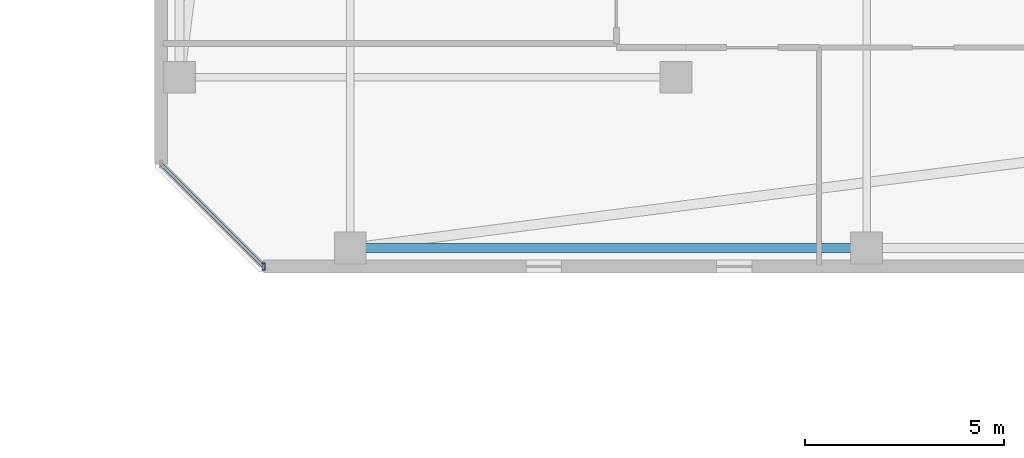
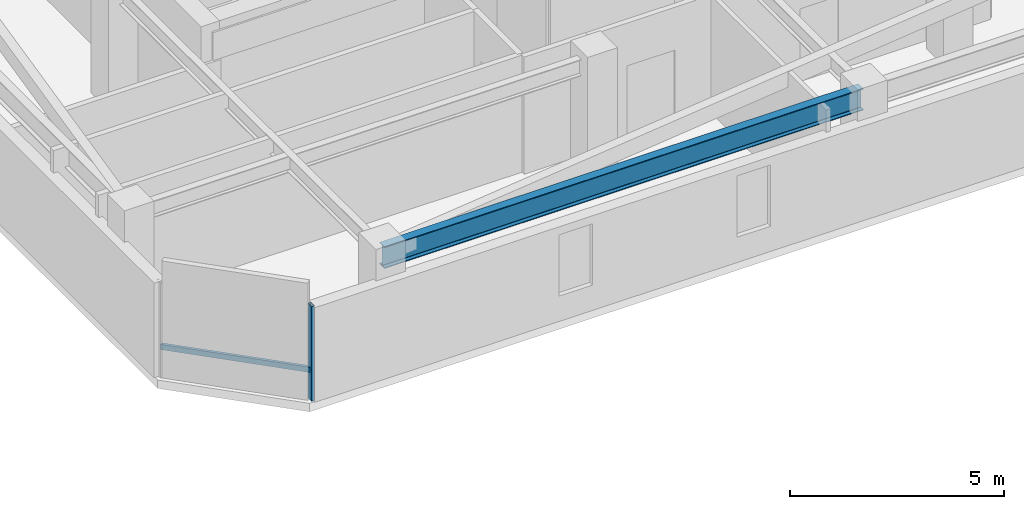
# One storey, part 14 of 35: 2 members, 1 beam, 1 element without a shape of its own.
"""IFC4 building model written with IfcOpenShell, lengths in metres."""

from ifc_helpers import new_model, si_unit, direction, frame, origin, origin_2d, place, context, subcontext, project, spatial, hollow_rectangle, i_section, extrude, material, material_profile, profile_set, type_object, element, aggregate, save


model = new_model("IFC4")

# Units and contexts
model_context = context("Model", 3, precision=1e-05, world=origin(), true_north=direction((0.0, 1.0)))
body_context = subcontext(model_context, "Body", "Model", "MODEL_VIEW")
ifc_project = project(units=[si_unit("LENGTHUNIT", "METRE"), si_unit("AREAUNIT", "SQUARE_METRE"), si_unit("VOLUMEUNIT", "CUBIC_METRE"), si_unit("PLANEANGLEUNIT", "RADIAN"), si_unit("MASSUNIT", "GRAM", prefix="KILO")], contexts=[model_context])

# Site, building, storey
site_placement = place(None, origin())
site = spatial("IfcSite", under=ifc_project, at=site_placement, CompositionType="ELEMENT")
building_placement = place(site_placement, origin())
building = spatial("IfcBuilding", under=site, at=building_placement, Name="Thornwick Lancets Civic Towers", CompositionType="ELEMENT")
storey_placement = place(building_placement, frame((0.0, 0.0, 269.10009765625)))
storey = spatial("IfcBuildingStorey", under=building, at=storey_placement, Name="L72", CompositionType="ELEMENT", Elevation=269.10009765625)

# Beam
ifc_material_1 = material(Name="Steel S355JR", Category="steel")
ifc_material_profile_1 = material_profile(ifc_material_1, i_section(OverallWidth=0.230224609375, OverallDepth=0.6171875, WebThickness=0.01318359375, FlangeThickness=0.022216796875, FilletRadius=0.0126953125, at=origin_2d()), Name="UKB 610x229x140")
ifc_profile_set_1 = profile_set([ifc_material_profile_1], Name="Steel S355JR")
beam_type = type_object("IfcBeamType", Name="BM_GIRD_610_140", PredefinedType="BEAM", material=ifc_profile_set_1)
beam_placement = place(storey_placement, frame((88.419921875, 9.699951171875, 3.05126953125), z_axis=(-1.0, 0.0, 0.0), x_axis=(0.0, -1.0, 0.0)))
element("IfcBeam", 1, at=beam_placement, inside=storey, type_object=beam_type, Name="BM-SPINE-L72-B-10-11", PredefinedType="BEAM", context=body_context, shape_type="SweptSolid", body=[
    extrude(i_section(OverallWidth=0.230224609375, OverallDepth=0.6171875, WebThickness=0.01318359375, FlangeThickness=0.022216796875, FilletRadius=0.0126953125, at=origin_2d()), origin(), (0.0, 0.0, 1.0), 12.919921875),
])

# Curtain wall, members
ifc_material_2 = material(Name="High-zone chamfered-corner unitised glass curtain wall", Category="glass")
curtain_wall_type = type_object("IfcCurtainWallType", Name="CW_SYS_05", PredefinedType="NOTDEFINED", material=ifc_material_2)
curtain_wall_placement = place(storey_placement, origin())
curtain_wall = element("IfcCurtainWall", 2, at=curtain_wall_placement, inside=storey, type_object=curtain_wall_type, Name="L72 Curtain Wall CW-L72-B-E7", PredefinedType="NOTDEFINED")
ifc_material_3 = material(Name="Thermally broken bronze aluminium S355", Category="steel")
ifc_material_profile_2 = material_profile(ifc_material_3, hollow_rectangle(XDim=0.074951171875, YDim=0.179931640625, WallThickness=0.006103515625, at=origin_2d()), Name="RHS 180x75x6")
ifc_profile_set_2 = profile_set([ifc_material_profile_2], Name="Thermally broken bronze aluminium S355")
member_type_1 = type_object("IfcMemberType", Name="CW_MUL_180", PredefinedType="MULLION", material=ifc_profile_set_2)
member_1_placement = place(storey_placement, frame((73.318603515625, 9.2353515625, 0.0), z_axis=(0.0, 0.0, 1.0), x_axis=(1.0, 0.0, 0.0)))
member_1 = element("IfcMember", 3, at=member_1_placement, type_object=member_type_1, Name="CW-L72-B-E7 Mullion 1", PredefinedType="MULLION", context=body_context, shape_type="SweptSolid", body=[
    extrude(hollow_rectangle(XDim=0.074951171875, YDim=0.179931640625, WallThickness=0.006103515625, at=origin_2d()), origin(), (0.0, 0.0, 1.0), 2.699951171875),
])
ifc_material_profile_3 = material_profile(ifc_material_3, hollow_rectangle(XDim=0.074951171875, YDim=0.14990234375, WallThickness=0.0048828125, at=origin_2d()), Name="RHS 150x75x5")
ifc_profile_set_3 = profile_set([ifc_material_profile_3], Name="Thermally broken bronze aluminium S355")
member_type_2 = type_object("IfcMemberType", Name="CW_TRN_150", PredefinedType="USERDEFINED", material=ifc_profile_set_3)
member_2_placement = place(storey_placement, frame((70.74951171875, 11.804443359375, 0.849853515625), z_axis=(0.707106781187, -0.707106781187, 0.0), x_axis=(0.707106781187, 0.707106781187, 0.0)))
member_2 = element("IfcMember", 4, at=member_2_placement, type_object=member_type_2, Name="CW-L72-B-E7 Transom 0", ObjectType="TRANSOM", PredefinedType="USERDEFINED", context=body_context, shape_type="SweptSolid", body=[
    extrude(hollow_rectangle(XDim=0.074951171875, YDim=0.14990234375, WallThickness=0.0048828125, at=origin_2d()), origin(), (0.0, 0.0, 1.0), 3.61328125),
])
aggregate(curtain_wall, [member_1, member_2])

save(model, "model.ifc")
